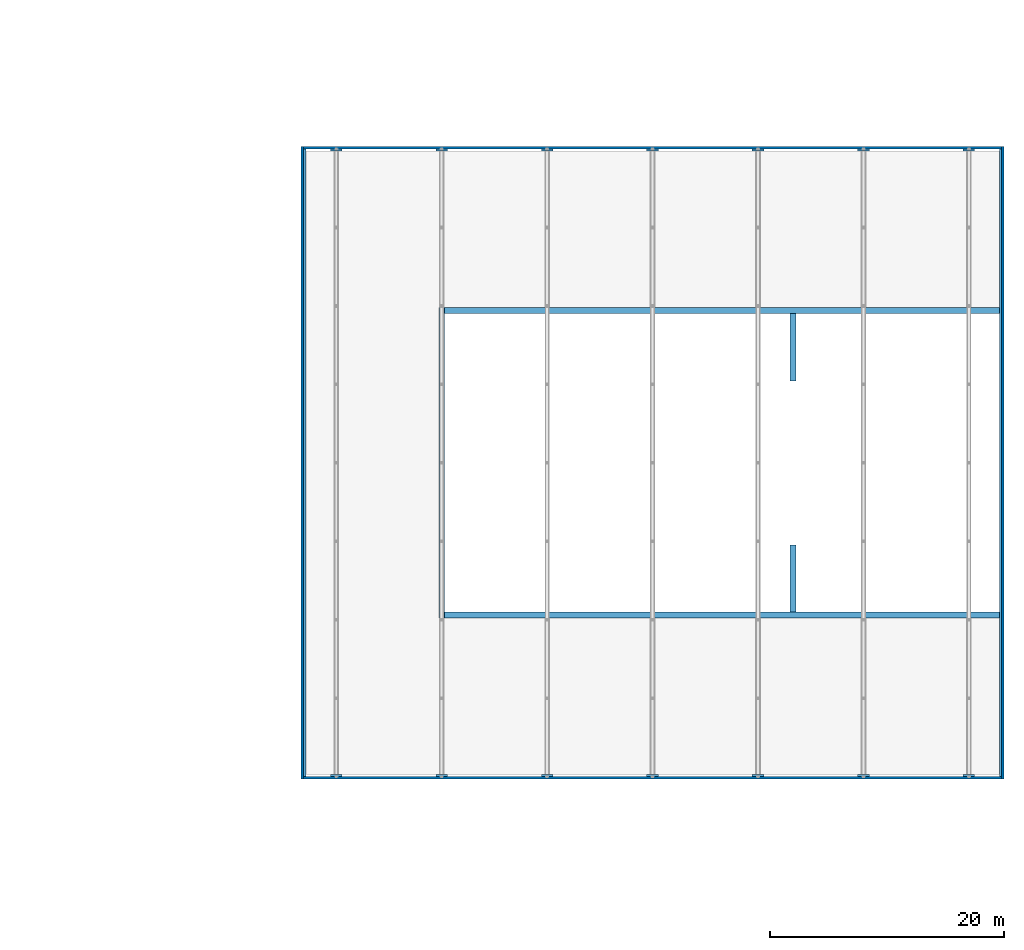
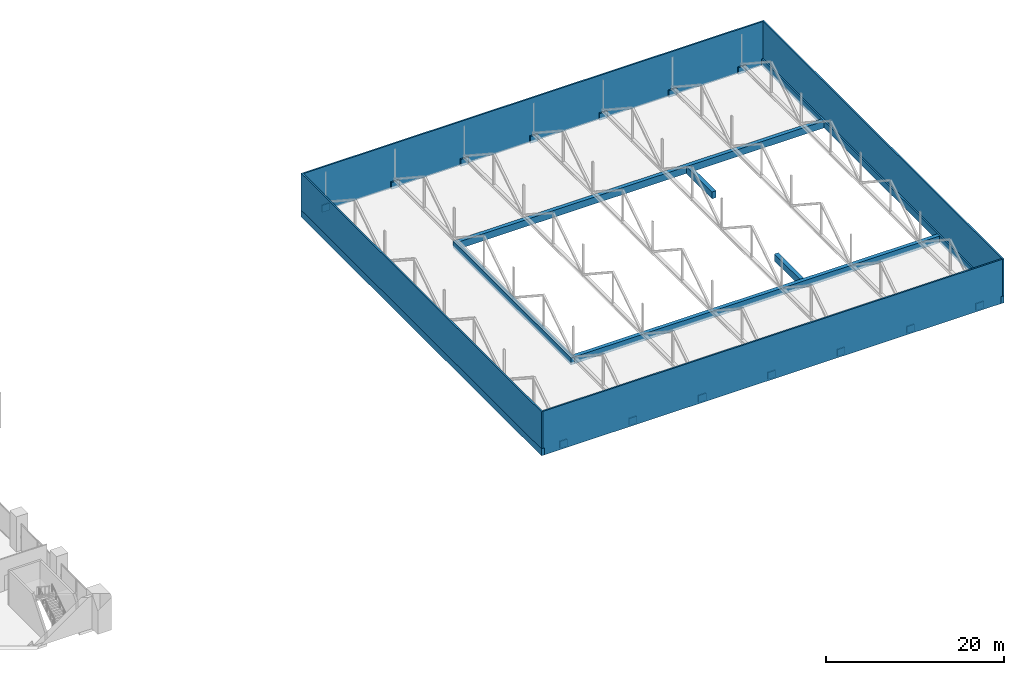
# One storey, part 30 of 49: 25 walls.
"""IFC4 building model written with IfcOpenShell, lengths in metres."""

from ifc_helpers import new_model, si_unit, direction, frame, frame_2d, origin, place, context, subcontext, project, spatial, rectangle, extrude, material, layer, layer_set, type_object, element, save


model = new_model("IFC4")

# Units and contexts
model_context = context("Model", 3, precision=1e-05, world=origin(), true_north=direction((0.0, 1.0)))
body_context = subcontext(model_context, "Body", "Model", "MODEL_VIEW")
ifc_project = project(units=[si_unit("LENGTHUNIT", "METRE"), si_unit("AREAUNIT", "SQUARE_METRE"), si_unit("VOLUMEUNIT", "CUBIC_METRE"), si_unit("PLANEANGLEUNIT", "RADIAN"), si_unit("MASSUNIT", "GRAM", prefix="KILO")], contexts=[model_context])

# Site, building, storey
site_placement = place(None, origin())
site = spatial("IfcSite", under=ifc_project, at=site_placement, CompositionType="ELEMENT")
building_placement = place(site_placement, origin())
building = spatial("IfcBuilding", under=site, at=building_placement, Name="Hunhe Ridgeline Campus", CompositionType="ELEMENT")
storey_placement = place(building_placement, frame((0.0, 0.0, 21.60009765625)))
storey = spatial("IfcBuildingStorey", under=building, at=storey_placement, Name="L04", CompositionType="ELEMENT", Elevation=21.60009765625)

# Walls
ifc_material_1 = material(Name="Concrete C50", Category="concrete")
ifc_layer_1 = layer(ifc_material_1, 0.5)
ifc_layer_set_1 = layer_set([ifc_layer_1], Name="Auditorium RC wall 500 C50")
wall_type_1 = type_object("IfcWallType", Name="Auditorium RC wall 500 C50", PredefinedType="SOLIDWALL", material=ifc_layer_set_1)
wall_placement = place(storey_placement, frame((162.0, 36.25, -0.35009765625), z_axis=(0.0, 0.0, 1.0), x_axis=(0.0, 1.0, 0.0)))
element("IfcWall", 1, at=wall_placement, inside=storey, type_object=wall_type_1, Name="Auditorium RC wall L04", PredefinedType="SOLIDWALL", context=body_context, shape_type="SweptSolid", body=[
    extrude(rectangle(XDim=26.5, YDim=0.5, at=frame_2d((13.25, 0.0))), origin(), (0.0, 0.0, 1.0), 0.949951171875),
])
for number, where, z_axis, x_axis, name in (
    (2, (209.60009765625, 36.5, -0.35009765625), (0.0, 0.0, 1.0), (-1.0, 0.0, 0.0), "Auditorium RC wall L04"),
    (3, (162.25, 62.5, -0.35009765625), (0.0, 0.0, 1.0), (1.0, 0.0, 0.0), "Auditorium RC wall L04"),
):
    element("IfcWall", number, at=place(storey_placement, frame(where, z_axis=z_axis, x_axis=x_axis)), inside=storey, type_object=wall_type_1, Name=name, PredefinedType="SOLIDWALL", context=body_context, shape_type="SweptSolid", body=[
        extrude(rectangle(XDim=47.35009765625, YDim=0.5, at=frame_2d((23.675048828125, 0.0))), origin(), (0.0, 0.0, 1.0), 0.949951171875),
    ])
for number, where, z_axis, x_axis, name in (
    (4, (192.0, 36.75, -0.35009765625), (0.0, 0.0, 1.0), (0.0, 1.0, 0.0), "Auditorium RC wall L04"),
    (5, (192.0, 56.5, -0.35009765625), (0.0, 0.0, 1.0), (0.0, 1.0, 0.0), "Auditorium RC wall L04"),
):
    element("IfcWall", number, at=place(storey_placement, frame(where, z_axis=z_axis, x_axis=x_axis)), inside=storey, type_object=wall_type_1, Name=name, PredefinedType="SOLIDWALL", context=body_context, shape_type="SweptSolid", body=[
        extrude(rectangle(XDim=5.75, YDim=0.5, at=frame_2d((2.875, 0.0))), origin(), (0.0, 0.0, 1.0), 0.949951171875),
    ])
ifc_material_2 = material(Name="Concrete C40", Category="concrete")
ifc_layer_2 = layer(ifc_material_2, 0.39990234375)
ifc_layer_set_2 = layer_set([ifc_layer_2], Name="Hall external RC wall 400 C40")
wall_type_2 = type_object("IfcWallType", Name="Hall external RC wall 400 C40", PredefinedType="SOLIDWALL", material=ifc_layer_set_2)
for number, where, z_axis, x_axis, name in (
    (6, (150.199951171875, 22.5, -0.35009765625), (0.0, 0.0, 1.0), (0.0, 1.0, 0.0), "Hall L04 west wall"),
    (7, (209.800048828125, 76.5, -0.35009765625), (0.0, 0.0, 1.0), (0.0, -1.0, 0.0), "Hall L04 east wall"),
):
    element("IfcWall", number, at=place(storey_placement, frame(where, z_axis=z_axis, x_axis=x_axis)), inside=storey, type_object=wall_type_2, Name=name, PredefinedType="SOLIDWALL", context=body_context, shape_type="SweptSolid", body=[
        extrude(rectangle(XDim=54.0, YDim=0.39990234375, at=frame_2d((27.0, 0.0))), origin(), (0.0, 0.0, 1.0), 0.949951171875),
    ])
ifc_layer_3 = layer(ifc_material_2, 0.199951171875)
ifc_layer_set_3 = layer_set([ifc_layer_3], Name="Hall truss bearing pier 200 C40")
wall_type_3 = type_object("IfcWallType", Name="Hall truss bearing pier 200 C40", PredefinedType="SOLIDWALL", material=ifc_layer_set_3)
for number, where, z_axis, x_axis, name in (
    (8, (153.5, 22.800048828125, -0.35009765625), (0.0, 0.0, 1.0), (-1.0, 0.0, 0.0), "Truss bearing pier S1"),
    (9, (162.5, 22.800048828125, -0.35009765625), (0.0, 0.0, 1.0), (-1.0, 0.0, 0.0), "Truss bearing pier S2"),
    (10, (171.5, 22.800048828125, -0.35009765625), (0.0, 0.0, 1.0), (-1.0, 0.0, 0.0), "Truss bearing pier S3"),
    (11, (180.5, 22.800048828125, -0.35009765625), (0.0, 0.0, 1.0), (-1.0, 0.0, 0.0), "Truss bearing pier S4"),
    (12, (189.5, 22.800048828125, -0.35009765625), (0.0, 0.0, 1.0), (-1.0, 0.0, 0.0), "Truss bearing pier S5"),
    (13, (198.5, 22.800048828125, -0.35009765625), (0.0, 0.0, 1.0), (-1.0, 0.0, 0.0), "Truss bearing pier S6"),
    (14, (207.5, 22.800048828125, -0.35009765625), (0.0, 0.0, 1.0), (-1.0, 0.0, 0.0), "Truss bearing pier S7"),
    (15, (152.5, 76.199951171875, -0.35009765625), (0.0, 0.0, 1.0), (1.0, 0.0, 0.0), "Truss bearing pier N1"),
    (16, (161.5, 76.199951171875, -0.35009765625), (0.0, 0.0, 1.0), (1.0, 0.0, 0.0), "Truss bearing pier N2"),
    (17, (170.5, 76.199951171875, -0.35009765625), (0.0, 0.0, 1.0), (1.0, 0.0, 0.0), "Truss bearing pier N3"),
    (18, (179.5, 76.199951171875, -0.35009765625), (0.0, 0.0, 1.0), (1.0, 0.0, 0.0), "Truss bearing pier N4"),
    (19, (188.5, 76.199951171875, -0.35009765625), (0.0, 0.0, 1.0), (1.0, 0.0, 0.0), "Truss bearing pier N5"),
    (20, (197.5, 76.199951171875, -0.35009765625), (0.0, 0.0, 1.0), (1.0, 0.0, 0.0), "Truss bearing pier N6"),
    (21, (206.5, 76.199951171875, -0.35009765625), (0.0, 0.0, 1.0), (1.0, 0.0, 0.0), "Truss bearing pier N7"),
):
    element("IfcWall", number, at=place(storey_placement, frame(where, z_axis=z_axis, x_axis=x_axis)), inside=storey, type_object=wall_type_3, Name=name, PredefinedType="SOLIDWALL", context=body_context, shape_type="SweptSolid", body=[
        extrude(rectangle(XDim=1.0, YDim=0.199951171875, at=frame_2d((0.5, 0.0))), origin(), (0.0, 0.0, 1.0), 0.949951171875),
    ])
ifc_material_3 = material(Name="Insulated metal panel")
ifc_layer_4 = layer(ifc_material_3, 0.199951171875)
ifc_layer_set_4 = layer_set([ifc_layer_4], Name="Insulated roof edge panel wall 200")
wall_type_4 = type_object("IfcWallType", Name="Insulated roof edge panel wall 200", PredefinedType="SOLIDWALL", material=ifc_layer_set_4)
for number, where, z_axis, x_axis, name in (
    (22, (150.199951171875, 22.60009765625, -0.35009765625), (0.0, 0.0, 1.0), (1.0, 0.0, 0.0), "Roof edge panel south"),
    (23, (209.800048828125, 76.39990234375, -0.35009765625), (0.0, 0.0, 1.0), (-1.0, 0.0, 0.0), "Roof edge panel north"),
):
    element("IfcWall", number, at=place(storey_placement, frame(where, z_axis=z_axis, x_axis=x_axis)), inside=storey, type_object=wall_type_4, Name=name, PredefinedType="SOLIDWALL", context=body_context, shape_type="SweptSolid", body=[
        extrude(rectangle(XDim=59.60009765625, YDim=0.199951171875, at=frame_2d((29.800048828125, 0.0))), origin(), (0.0, 0.0, 1.0), 6.02392578125),
    ])
for number, where, z_axis, x_axis, name in (
    (24, (150.10009765625, 22.5, 0.599853515625), (0.0, 0.0, 1.0), (0.0, 1.0, 0.0), "Roof edge panel west"),
    (25, (209.89990234375, 76.5, 0.599853515625), (0.0, 0.0, 1.0), (0.0, -1.0, 0.0), "Roof edge panel east"),
):
    element("IfcWall", number, at=place(storey_placement, frame(where, z_axis=z_axis, x_axis=x_axis)), inside=storey, type_object=wall_type_4, Name=name, PredefinedType="SOLIDWALL", context=body_context, shape_type="SweptSolid", body=[
        extrude(rectangle(XDim=54.0, YDim=0.199951171875, at=frame_2d((27.0, 0.0))), origin(), (0.0, 0.0, 1.0), 5.073974609375),
    ])

save(model, "model.ifc")
